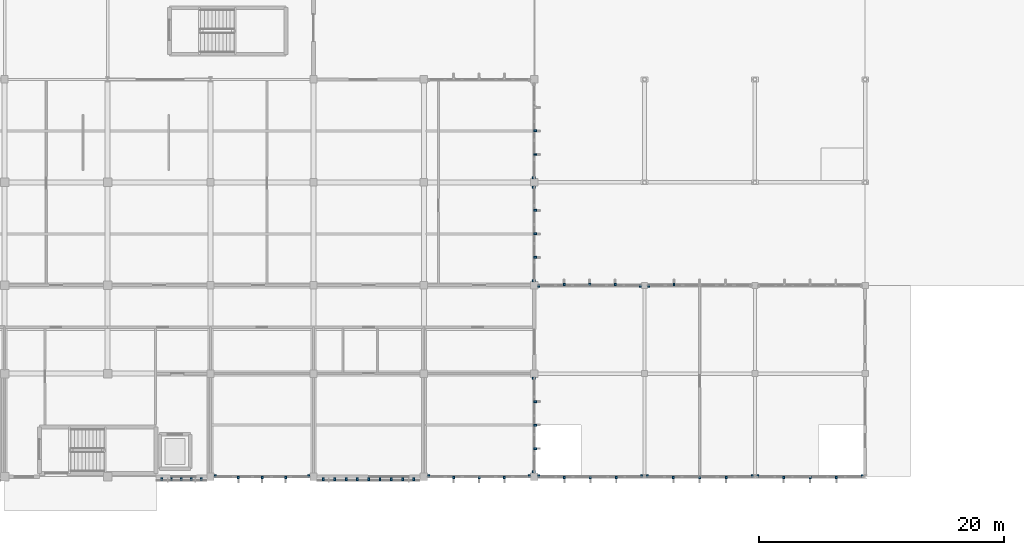
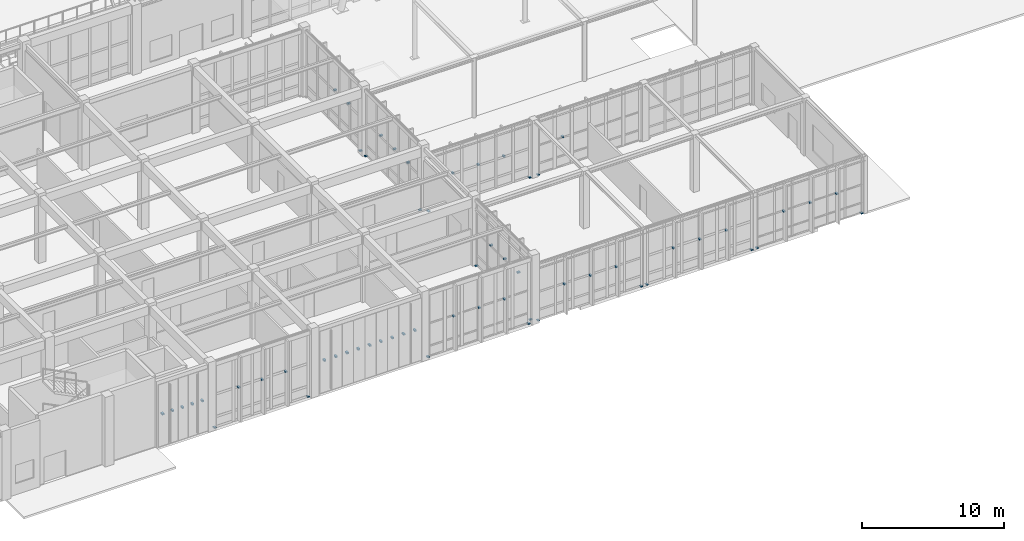
# One storey, part 88 of 110: 59 discrete accessories.
"""IFC4 building model written with IfcOpenShell, lengths in metres."""

from ifc_helpers import new_model, si_unit, direction, frame, origin, origin_2d, place, context, subcontext, project, spatial, rectangle, extrude, material, type_object, element, save


model = new_model("IFC4")

# Units and contexts
model_context = context("Model", 3, precision=1e-05, world=origin(), true_north=direction((0.0, 1.0)))
body_context = subcontext(model_context, "Body", "Model", "MODEL_VIEW")
ifc_project = project(units=[si_unit("LENGTHUNIT", "METRE"), si_unit("AREAUNIT", "SQUARE_METRE"), si_unit("VOLUMEUNIT", "CUBIC_METRE"), si_unit("PLANEANGLEUNIT", "RADIAN"), si_unit("MASSUNIT", "GRAM", prefix="KILO")], contexts=[model_context])

# Site, building, storey
site_placement = place(None, origin())
site = spatial("IfcSite", under=ifc_project, at=site_placement, CompositionType="ELEMENT")
building_placement = place(site_placement, origin())
building = spatial("IfcBuilding", under=site, at=building_placement, Name="Tizgana Railside Sports Hall", CompositionType="ELEMENT")
storey_placement = place(building_placement, origin())
storey = spatial("IfcBuildingStorey", under=building, at=storey_placement, Name="L00", CompositionType="ELEMENT", Elevation=0.0)

# Discrete accessories
ifc_material = material(Name="Steel S355J2", Category="steel")
discrete_accessory_type = type_object("IfcDiscreteAccessoryType", Name="Stainless Facade Support Bracket", PredefinedType="BRACKET", material=ifc_material)
for number, where, z_axis, x_axis, name in (
    (1, (70.64501953125, -0.199951171875, 2.80517578125), (0.0, 0.0, 1.0), (-1.0, 0.0, 0.0), "L00 Screen Bracket"),
    (2, (69.8349609375, -0.199951171875, 2.80517578125), (0.0, 0.0, 1.0), (-1.0, 0.0, 0.0), "L00 Screen Bracket"),
    (3, (69.02490234375, -0.199951171875, 2.80517578125), (0.0, 0.0, 1.0), (-1.0, 0.0, 0.0), "L00 Screen Bracket"),
    (4, (68.215087890625, -0.199951171875, 2.80517578125), (0.0, 0.0, 1.0), (-1.0, 0.0, 0.0), "L00 Screen Bracket"),
    (5, (67.405029296875, -0.199951171875, 2.80517578125), (0.0, 0.0, 1.0), (-1.0, 0.0, 0.0), "L00 Screen Bracket"),
):
    element("IfcDiscreteAccessory", number, at=place(storey_placement, frame(where, z_axis=z_axis, x_axis=x_axis)), inside=storey, type_object=discrete_accessory_type, Name=name, PredefinedType="BRACKET", context=body_context, shape_type="SweptSolid", body=[
        extrude(rectangle(XDim=0.159912109375, YDim=0.25, at=origin_2d()), origin(), (0.0, 0.0, 1.0), 0.139892578125),
    ])
for number, where, z_axis, x_axis, name in (
    (6, (79.409912109375, 0.0400390625, -0.010009765625), (0.0, 0.0, 1.0), (-1.0, 0.0, 0.0), "L00 Curtain Wall Base Bracket"),
    (7, (71.7900390625, 0.0400390625, -0.010009765625), (0.0, 0.0, 1.0), (-1.0, 0.0, 0.0), "L00 Curtain Wall Base Bracket"),
):
    element("IfcDiscreteAccessory", number, at=place(storey_placement, frame(where, z_axis=z_axis, x_axis=x_axis)), inside=storey, type_object=discrete_accessory_type, Name=name, PredefinedType="BRACKET", context=body_context, shape_type="SweptSolid", body=[
        extrude(rectangle(XDim=0.159912109375, YDim=0.219970703125, at=origin_2d()), origin(), (0.0, 0.0, 1.0), 0.06494140625),
    ])
for number, where, z_axis, x_axis, name in (
    (8, (77.5224609375, -0.080078125, 2.83740234375), (0.0, 0.0, 1.0), (-1.0, 0.0, 0.0), "L00 Fin Bracket"),
    (9, (75.60009765625, -0.080078125, 2.83740234375), (0.0, 0.0, 1.0), (-1.0, 0.0, 0.0), "L00 Fin Bracket"),
    (10, (73.677490234375, -0.080078125, 2.83740234375), (0.0, 0.0, 1.0), (-1.0, 0.0, 0.0), "L00 Fin Bracket"),
):
    element("IfcDiscreteAccessory", number, at=place(storey_placement, frame(where, z_axis=z_axis, x_axis=x_axis)), inside=storey, type_object=discrete_accessory_type, Name=name, PredefinedType="BRACKET", context=body_context, shape_type="SweptSolid", body=[
        extrude(rectangle(XDim=0.159912109375, YDim=0.219970703125, at=origin_2d()), origin(), (0.0, 0.0, 1.0), 0.1201171875),
    ])
for number, where, z_axis, x_axis, name in (
    (11, (87.989013671875, -0.199951171875, 2.80517578125), (0.0, 0.0, 1.0), (-1.0, 0.0, 0.0), "L00 Screen Bracket"),
    (12, (87.066650390625, -0.199951171875, 2.80517578125), (0.0, 0.0, 1.0), (-1.0, 0.0, 0.0), "L00 Screen Bracket"),
    (13, (86.144287109375, -0.199951171875, 2.80517578125), (0.0, 0.0, 1.0), (-1.0, 0.0, 0.0), "L00 Screen Bracket"),
    (14, (85.22216796875, -0.199951171875, 2.80517578125), (0.0, 0.0, 1.0), (-1.0, 0.0, 0.0), "L00 Screen Bracket"),
    (15, (84.300048828125, -0.199951171875, 2.80517578125), (0.0, 0.0, 1.0), (-1.0, 0.0, 0.0), "L00 Screen Bracket"),
    (16, (83.377685546875, -0.199951171875, 2.80517578125), (0.0, 0.0, 1.0), (-1.0, 0.0, 0.0), "L00 Screen Bracket"),
    (17, (82.45556640625, -0.199951171875, 2.80517578125), (0.0, 0.0, 1.0), (-1.0, 0.0, 0.0), "L00 Screen Bracket"),
    (18, (81.533203125, -0.199951171875, 2.80517578125), (0.0, 0.0, 1.0), (-1.0, 0.0, 0.0), "L00 Screen Bracket"),
    (19, (80.611083984375, -0.199951171875, 2.80517578125), (0.0, 0.0, 1.0), (-1.0, 0.0, 0.0), "L00 Screen Bracket"),
):
    element("IfcDiscreteAccessory", number, at=place(storey_placement, frame(where, z_axis=z_axis, x_axis=x_axis)), inside=storey, type_object=discrete_accessory_type, Name=name, PredefinedType="BRACKET", context=body_context, shape_type="SweptSolid", body=[
        extrude(rectangle(XDim=0.159912109375, YDim=0.25, at=origin_2d()), origin(), (0.0, 0.0, 1.0), 0.139892578125),
    ])
for number, where, z_axis, x_axis, name in (
    (20, (97.407470703125, 0.0400390625, -0.010009765625), (0.0, 0.0, 1.0), (-1.0, 0.0, 0.0), "L00 Curtain Wall Base Bracket"),
    (21, (89.1923828125, 0.0400390625, -0.010009765625), (0.0, 0.0, 1.0), (-1.0, 0.0, 0.0), "L00 Curtain Wall Base Bracket"),
):
    element("IfcDiscreteAccessory", number, at=place(storey_placement, frame(where, z_axis=z_axis, x_axis=x_axis)), inside=storey, type_object=discrete_accessory_type, Name=name, PredefinedType="BRACKET", context=body_context, shape_type="SweptSolid", body=[
        extrude(rectangle(XDim=0.159912109375, YDim=0.219970703125, at=origin_2d()), origin(), (0.0, 0.0, 1.0), 0.06494140625),
    ])
for number, where, z_axis, x_axis, name in (
    (22, (95.37255859375, -0.080078125, 2.83740234375), (0.0, 0.0, 1.0), (-1.0, 0.0, 0.0), "L00 Fin Bracket"),
    (23, (93.300048828125, -0.080078125, 2.83740234375), (0.0, 0.0, 1.0), (-1.0, 0.0, 0.0), "L00 Fin Bracket"),
    (24, (91.2275390625, -0.080078125, 2.83740234375), (0.0, 0.0, 1.0), (-1.0, 0.0, 0.0), "L00 Fin Bracket"),
):
    element("IfcDiscreteAccessory", number, at=place(storey_placement, frame(where, z_axis=z_axis, x_axis=x_axis)), inside=storey, type_object=discrete_accessory_type, Name=name, PredefinedType="BRACKET", context=body_context, shape_type="SweptSolid", body=[
        extrude(rectangle(XDim=0.159912109375, YDim=0.219970703125, at=origin_2d()), origin(), (0.0, 0.0, 1.0), 0.1201171875),
    ])
for number, where, z_axis, x_axis, name in (
    (25, (97.760009765625, 8.014892578125, -0.010009765625), (0.0, 0.0, 1.0), (0.0, -1.0, 0.0), "L00 Curtain Wall Base Bracket"),
    (26, (97.760009765625, 0.385009765625, -0.010009765625), (0.0, 0.0, 1.0), (0.0, -1.0, 0.0), "L00 Curtain Wall Base Bracket"),
):
    element("IfcDiscreteAccessory", number, at=place(storey_placement, frame(where, z_axis=z_axis, x_axis=x_axis)), inside=storey, type_object=discrete_accessory_type, Name=name, PredefinedType="BRACKET", context=body_context, shape_type="SweptSolid", body=[
        extrude(rectangle(XDim=0.159912109375, YDim=0.219970703125, at=origin_2d()), origin(), (0.0, 0.0, 1.0), 0.06494140625),
    ])
for number, where, z_axis, x_axis, name in (
    (27, (97.8798828125, 6.12255859375, 2.83740234375), (0.0, 0.0, 1.0), (0.0, -1.0, 0.0), "L00 Fin Bracket"),
    (28, (97.8798828125, 4.199951171875, 2.83740234375), (0.0, 0.0, 1.0), (0.0, -1.0, 0.0), "L00 Fin Bracket"),
    (29, (97.8798828125, 2.277587890625, 2.83740234375), (0.0, 0.0, 1.0), (0.0, -1.0, 0.0), "L00 Fin Bracket"),
):
    element("IfcDiscreteAccessory", number, at=place(storey_placement, frame(where, z_axis=z_axis, x_axis=x_axis)), inside=storey, type_object=discrete_accessory_type, Name=name, PredefinedType="BRACKET", context=body_context, shape_type="SweptSolid", body=[
        extrude(rectangle(XDim=0.159912109375, YDim=0.219970703125, at=origin_2d()), origin(), (0.0, 0.0, 1.0), 0.1201171875),
    ])
for number, where, z_axis, x_axis, name in (
    (30, (97.760009765625, 23.612548828125, -0.010009765625), (0.0, 0.0, 1.0), (0.0, -1.0, 0.0), "L00 Curtain Wall Base Bracket"),
    (31, (97.760009765625, 15.987548828125, -0.010009765625), (0.0, 0.0, 1.0), (0.0, -1.0, 0.0), "L00 Curtain Wall Base Bracket"),
):
    element("IfcDiscreteAccessory", number, at=place(storey_placement, frame(where, z_axis=z_axis, x_axis=x_axis)), inside=storey, type_object=discrete_accessory_type, Name=name, PredefinedType="BRACKET", context=body_context, shape_type="SweptSolid", body=[
        extrude(rectangle(XDim=0.159912109375, YDim=0.219970703125, at=origin_2d()), origin(), (0.0, 0.0, 1.0), 0.06494140625),
    ])
for number, where, z_axis, x_axis, name in (
    (32, (97.8798828125, 21.722412109375, 2.83740234375), (0.0, 0.0, 1.0), (0.0, -1.0, 0.0), "L00 Fin Bracket"),
    (33, (97.8798828125, 19.800048828125, 2.83740234375), (0.0, 0.0, 1.0), (0.0, -1.0, 0.0), "L00 Fin Bracket"),
    (34, (97.8798828125, 17.87744140625, 2.83740234375), (0.0, 0.0, 1.0), (0.0, -1.0, 0.0), "L00 Fin Bracket"),
):
    element("IfcDiscreteAccessory", number, at=place(storey_placement, frame(where, z_axis=z_axis, x_axis=x_axis)), inside=storey, type_object=discrete_accessory_type, Name=name, PredefinedType="BRACKET", context=body_context, shape_type="SweptSolid", body=[
        extrude(rectangle(XDim=0.159912109375, YDim=0.219970703125, at=origin_2d()), origin(), (0.0, 0.0, 1.0), 0.1201171875),
    ])
discrete_accessory_1_placement = place(storey_placement, frame((97.760009765625, 24.389892578125, -0.010009765625), z_axis=(0.0, 0.0, 1.0), x_axis=(0.0, -1.0, 0.0)))
element("IfcDiscreteAccessory", 35, at=discrete_accessory_1_placement, inside=storey, type_object=discrete_accessory_type, Name="L00 Curtain Wall Base Bracket", PredefinedType="BRACKET", context=body_context, shape_type="SweptSolid", body=[
    extrude(rectangle(XDim=0.159912109375, YDim=0.219970703125, at=origin_2d()), origin(), (0.0, 0.0, 1.0), 0.06494140625),
])
for number, where, z_axis, x_axis, name in (
    (36, (97.8798828125, 28.199951171875, 2.83740234375), (0.0, 0.0, 1.0), (0.0, -1.0, 0.0), "L00 Fin Bracket"),
    (37, (97.8798828125, 26.277587890625, 2.83740234375), (0.0, 0.0, 1.0), (0.0, -1.0, 0.0), "L00 Fin Bracket"),
):
    element("IfcDiscreteAccessory", number, at=place(storey_placement, frame(where, z_axis=z_axis, x_axis=x_axis)), inside=storey, type_object=discrete_accessory_type, Name=name, PredefinedType="BRACKET", context=body_context, shape_type="SweptSolid", body=[
        extrude(rectangle(XDim=0.159912109375, YDim=0.219970703125, at=origin_2d()), origin(), (0.0, 0.0, 1.0), 0.1201171875),
    ])
for number, where, z_axis, x_axis, name in (
    (38, (106.574951171875, 0.0400390625, -0.010009765625), (0.0, 0.0, 1.0), (-1.0, 0.0, 0.0), "L00 Curtain Wall Base Bracket"),
    (39, (98.18505859375, 0.0400390625, -0.010009765625), (0.0, 0.0, 1.0), (-1.0, 0.0, 0.0), "L00 Curtain Wall Base Bracket"),
):
    element("IfcDiscreteAccessory", number, at=place(storey_placement, frame(where, z_axis=z_axis, x_axis=x_axis)), inside=storey, type_object=discrete_accessory_type, Name=name, PredefinedType="BRACKET", context=body_context, shape_type="SweptSolid", body=[
        extrude(rectangle(XDim=0.159912109375, YDim=0.219970703125, at=origin_2d()), origin(), (0.0, 0.0, 1.0), 0.06494140625),
    ])
for number, where, z_axis, x_axis, name in (
    (40, (104.492431640625, -0.080078125, 2.4423828125), (0.0, 0.0, 1.0), (-1.0, 0.0, 0.0), "L00 Fin Bracket"),
    (41, (102.3798828125, -0.080078125, 2.4423828125), (0.0, 0.0, 1.0), (-1.0, 0.0, 0.0), "L00 Fin Bracket"),
    (42, (100.267578125, -0.080078125, 2.4423828125), (0.0, 0.0, 1.0), (-1.0, 0.0, 0.0), "L00 Fin Bracket"),
):
    element("IfcDiscreteAccessory", number, at=place(storey_placement, frame(where, z_axis=z_axis, x_axis=x_axis)), inside=storey, type_object=discrete_accessory_type, Name=name, PredefinedType="BRACKET", context=body_context, shape_type="SweptSolid", body=[
        extrude(rectangle(XDim=0.159912109375, YDim=0.219970703125, at=origin_2d()), origin(), (0.0, 0.0, 1.0), 0.1201171875),
    ])
for number, where, z_axis, x_axis, name in (
    (43, (98.1875, 15.56005859375, -0.010009765625), (0.0, 0.0, 1.0), (1.0, 0.0, 0.0), "L00 Curtain Wall Base Bracket"),
    (44, (106.46240234375, 15.56005859375, -0.010009765625), (0.0, 0.0, 1.0), (1.0, 0.0, 0.0), "L00 Curtain Wall Base Bracket"),
):
    element("IfcDiscreteAccessory", number, at=place(storey_placement, frame(where, z_axis=z_axis, x_axis=x_axis)), inside=storey, type_object=discrete_accessory_type, Name=name, PredefinedType="BRACKET", context=body_context, shape_type="SweptSolid", body=[
        extrude(rectangle(XDim=0.159912109375, YDim=0.219970703125, at=origin_2d()), origin(), (0.0, 0.0, 1.0), 0.06494140625),
    ])
for number, where, z_axis, x_axis, name in (
    (45, (100.239990234375, 15.679931640625, 2.4423828125), (0.0, 0.0, 1.0), (1.0, 0.0, 0.0), "L00 Fin Bracket"),
    (46, (102.324951171875, 15.679931640625, 2.4423828125), (0.0, 0.0, 1.0), (1.0, 0.0, 0.0), "L00 Fin Bracket"),
    (47, (104.409912109375, 15.679931640625, 2.4423828125), (0.0, 0.0, 1.0), (1.0, 0.0, 0.0), "L00 Fin Bracket"),
):
    element("IfcDiscreteAccessory", number, at=place(storey_placement, frame(where, z_axis=z_axis, x_axis=x_axis)), inside=storey, type_object=discrete_accessory_type, Name=name, PredefinedType="BRACKET", context=body_context, shape_type="SweptSolid", body=[
        extrude(rectangle(XDim=0.159912109375, YDim=0.219970703125, at=origin_2d()), origin(), (0.0, 0.0, 1.0), 0.1201171875),
    ])
for number, where, z_axis, x_axis, name in (
    (48, (115.570068359375, 0.0400390625, -0.010009765625), (0.0, 0.0, 1.0), (-1.0, 0.0, 0.0), "L00 Curtain Wall Base Bracket"),
    (49, (107.030029296875, 0.0400390625, -0.010009765625), (0.0, 0.0, 1.0), (-1.0, 0.0, 0.0), "L00 Curtain Wall Base Bracket"),
):
    element("IfcDiscreteAccessory", number, at=place(storey_placement, frame(where, z_axis=z_axis, x_axis=x_axis)), inside=storey, type_object=discrete_accessory_type, Name=name, PredefinedType="BRACKET", context=body_context, shape_type="SweptSolid", body=[
        extrude(rectangle(XDim=0.159912109375, YDim=0.219970703125, at=origin_2d()), origin(), (0.0, 0.0, 1.0), 0.06494140625),
    ])
for number, where, z_axis, x_axis, name in (
    (50, (113.452392578125, -0.080078125, 2.4423828125), (0.0, 0.0, 1.0), (-1.0, 0.0, 0.0), "L00 Fin Bracket"),
    (51, (111.300048828125, -0.080078125, 2.4423828125), (0.0, 0.0, 1.0), (-1.0, 0.0, 0.0), "L00 Fin Bracket"),
    (52, (109.1474609375, -0.080078125, 2.4423828125), (0.0, 0.0, 1.0), (-1.0, 0.0, 0.0), "L00 Fin Bracket"),
):
    element("IfcDiscreteAccessory", number, at=place(storey_placement, frame(where, z_axis=z_axis, x_axis=x_axis)), inside=storey, type_object=discrete_accessory_type, Name=name, PredefinedType="BRACKET", context=body_context, shape_type="SweptSolid", body=[
        extrude(rectangle(XDim=0.159912109375, YDim=0.219970703125, at=origin_2d()), origin(), (0.0, 0.0, 1.0), 0.1201171875),
    ])
discrete_accessory_2_placement = place(storey_placement, frame((107.142578125, 15.56005859375, -0.010009765625), z_axis=(0.0, 0.0, 1.0), x_axis=(1.0, 0.0, 0.0)))
element("IfcDiscreteAccessory", 53, at=discrete_accessory_2_placement, inside=storey, type_object=discrete_accessory_type, Name="L00 Curtain Wall Base Bracket", PredefinedType="BRACKET", context=body_context, shape_type="SweptSolid", body=[
    extrude(rectangle(XDim=0.159912109375, YDim=0.219970703125, at=origin_2d()), origin(), (0.0, 0.0, 1.0), 0.06494140625),
])
discrete_accessory_3_placement = place(storey_placement, frame((109.202392578125, 15.679931640625, 2.4423828125), z_axis=(0.0, 0.0, 1.0), x_axis=(1.0, 0.0, 0.0)))
element("IfcDiscreteAccessory", 54, at=discrete_accessory_3_placement, inside=storey, type_object=discrete_accessory_type, Name="L00 Fin Bracket", PredefinedType="BRACKET", context=body_context, shape_type="SweptSolid", body=[
    extrude(rectangle(XDim=0.159912109375, YDim=0.219970703125, at=origin_2d()), origin(), (0.0, 0.0, 1.0), 0.1201171875),
])
for number, where, z_axis, x_axis, name in (
    (55, (124.574951171875, 0.0400390625, -0.010009765625), (0.0, 0.0, 1.0), (-1.0, 0.0, 0.0), "L00 Curtain Wall Base Bracket"),
    (56, (116.02490234375, 0.0400390625, -0.010009765625), (0.0, 0.0, 1.0), (-1.0, 0.0, 0.0), "L00 Curtain Wall Base Bracket"),
):
    element("IfcDiscreteAccessory", number, at=place(storey_placement, frame(where, z_axis=z_axis, x_axis=x_axis)), inside=storey, type_object=discrete_accessory_type, Name=name, PredefinedType="BRACKET", context=body_context, shape_type="SweptSolid", body=[
        extrude(rectangle(XDim=0.159912109375, YDim=0.219970703125, at=origin_2d()), origin(), (0.0, 0.0, 1.0), 0.06494140625),
    ])
for number, where, z_axis, x_axis, name in (
    (57, (122.452392578125, -0.080078125, 2.4423828125), (0.0, 0.0, 1.0), (-1.0, 0.0, 0.0), "L00 Fin Bracket"),
    (58, (120.300048828125, -0.080078125, 2.4423828125), (0.0, 0.0, 1.0), (-1.0, 0.0, 0.0), "L00 Fin Bracket"),
    (59, (118.1474609375, -0.080078125, 2.4423828125), (0.0, 0.0, 1.0), (-1.0, 0.0, 0.0), "L00 Fin Bracket"),
):
    element("IfcDiscreteAccessory", number, at=place(storey_placement, frame(where, z_axis=z_axis, x_axis=x_axis)), inside=storey, type_object=discrete_accessory_type, Name=name, PredefinedType="BRACKET", context=body_context, shape_type="SweptSolid", body=[
        extrude(rectangle(XDim=0.159912109375, YDim=0.219970703125, at=origin_2d()), origin(), (0.0, 0.0, 1.0), 0.1201171875),
    ])

save(model, "model.ifc")
